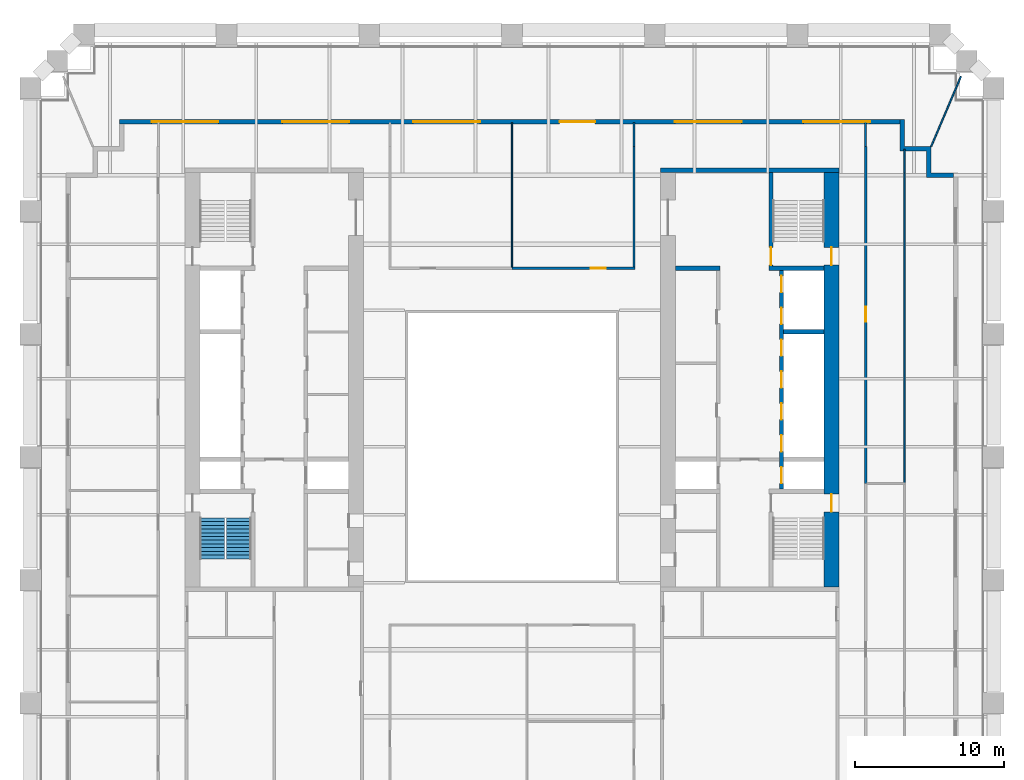
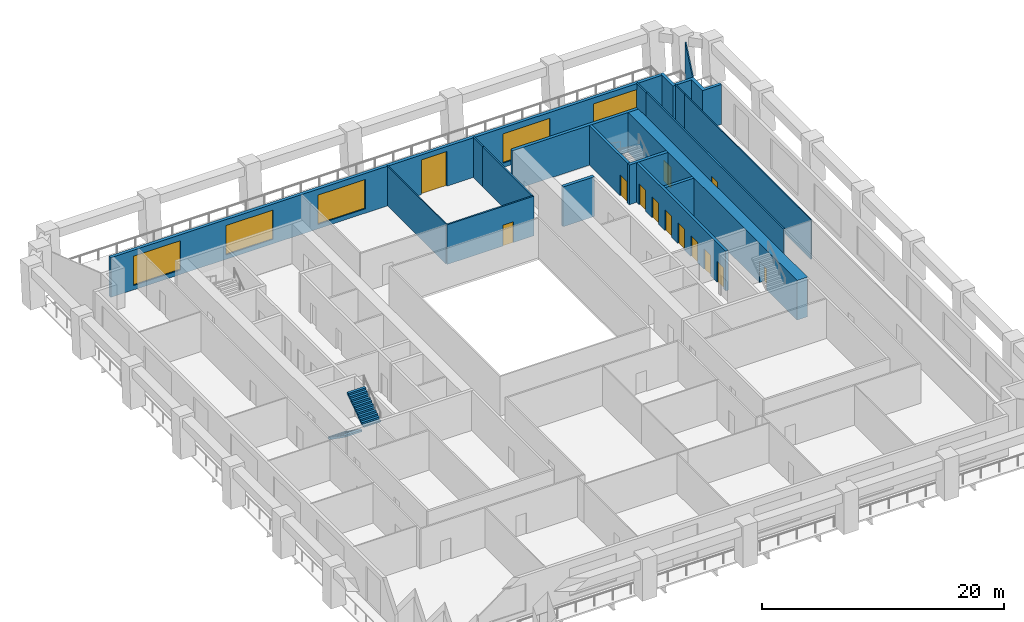
# One storey, part 7 of 9: 18 walls, 13 doors, 5 windows, 2 stair flights, 18 openings, 1 element without a shape of its own.
"""IFC4 building model written with IfcOpenShell, lengths in metres."""

from ifc_helpers import new_model, si_unit, direction, frame, frame_2d, origin, place, context, subcontext, project, spatial, polyline, rectangle, outline, extrude, material, layer, layer_set, type_object, element, fill, aggregate, save


model = new_model("IFC4")

# Units and contexts
model_context = context("Model", 3, precision=1e-05, world=origin(), true_north=direction((0.0, 1.0)))
body_context = subcontext(model_context, "Body", "Model", "MODEL_VIEW")
ifc_project = project(units=[si_unit("LENGTHUNIT", "METRE"), si_unit("AREAUNIT", "SQUARE_METRE"), si_unit("VOLUMEUNIT", "CUBIC_METRE"), si_unit("PLANEANGLEUNIT", "RADIAN"), si_unit("MASSUNIT", "GRAM", prefix="KILO")], contexts=[model_context])

# Site, building, storey
site_placement = place(None, origin())
site = spatial("IfcSite", under=ifc_project, at=site_placement, CompositionType="ELEMENT")
building_placement = place(site_placement, origin())
building = spatial("IfcBuilding", under=site, at=building_placement, Name="Ogive Exchange Tower", CompositionType="ELEMENT")
storey_placement = place(building_placement, frame((0.0, 0.0, 69.0)))
storey = spatial("IfcBuildingStorey", under=building, at=storey_placement, Name="L14", CompositionType="ELEMENT", Elevation=69.0)

# Wall
ifc_material_1 = material(Name="Gypsum board partition")
ifc_layer_1 = layer(ifc_material_1, 0.300048828125)
ifc_layer_set_1 = layer_set([ifc_layer_1], Name="Core room partition 300 gypsum")
wall_type_1 = type_object("IfcWallType", Name="Core room partition 300 gypsum", PredefinedType="PARTITIONING", material=ifc_layer_set_1)
wall_1_placement = place(storey_placement, frame((11.0, 19.0, 0.0), z_axis=(0.0, 0.0, 1.0), x_axis=(1.0, 0.0, 0.0)))
element("IfcWall", 1, at=wall_1_placement, inside=storey, type_object=wall_type_1, Name="E row B room end wall 7", PredefinedType="PARTITIONING", context=body_context, shape_type="SweptSolid", body=[
    extrude(rectangle(XDim=3.0, YDim=0.300048828125, at=frame_2d((1.5, 0.0))), origin(), (0.0, 0.0, 1.0), 4.0),
])

# Wall, opening, door
ifc_material_2 = material(Name="Fire partition EI 60 150")
ifc_layer_2 = layer(ifc_material_2, 0.14990234375)
ifc_layer_set_2 = layer_set([ifc_layer_2], Name="Fire partition EI 60 150")
wall_type_2 = type_object("IfcWallType", Name="Fire partition EI 60 150", PredefinedType="PARTITIONING", material=ifc_layer_set_2)
wall_2_placement = place(storey_placement, frame((0.0, 19.0, 0.0), z_axis=(0.0, 0.0, 1.0), x_axis=(1.0, 0.0, 0.0)))
wall_2 = element("IfcWall", 2, at=wall_2_placement, inside=storey, type_object=wall_type_2, Name="L14-PWL-027", PredefinedType="PARTITIONING", context=body_context, shape_type="SweptSolid", body=[
    extrude(rectangle(XDim=8.27490234375, YDim=0.14990234375, at=frame_2d((4.137451171875, 0.0))), origin(), (0.0, 0.0, 1.0), 4.0),
])
opening_1_placement = place(wall_2_placement, frame((5.300048828125, 0.0, 0.0)))
opening_1 = element("IfcOpeningElement", 3, at=opening_1_placement, cuts=wall_2, Name="Opening L14-I10", PredefinedType="OPENING", context=body_context, shape_type="SweptSolid", body=[
    extrude(rectangle(XDim=1.0, YDim=2.10009765625, at=frame_2d((0.5, 1.050048828125))), frame((0.0, 0.0849609375, 0.0), z_axis=(0.0, -1.0, 0.0), x_axis=(1.0, 0.0, 0.0)), (0.0, 0.0, 1.0), 0.169921875),
])
ifc_material_3 = material(Name="Fire door FD 30S 1000 x 2100")
door_type_1 = type_object("IfcDoorType", Name="Fire door FD 30S 1000 x 2100", OperationType="NOTDEFINED", PredefinedType="DOOR", material=ifc_material_3)
door_1_placement = place(opening_1_placement, origin())
door_1 = element("IfcDoor", 4, at=door_1_placement, inside=storey, type_object=door_type_1, Name="L14-IDR-010", ObjectType="DT3", OperationType="SINGLE_SWING_LEFT", OverallHeight=2.10009765625, OverallWidth=1.0, PredefinedType="DOOR", context=body_context, shape_type="SweptSolid", body=[
    extrude(rectangle(XDim=1.0, YDim=2.10009765625, at=frame_2d((0.5, 1.050048828125))), frame((0.0, 0.02490234375, 0.0), z_axis=(0.0, -1.0, 0.0), x_axis=(1.0, 0.0, 0.0)), (0.0, 0.0, 1.0), 0.050048828125),
])
fill(opening_1, door_1)

# Walls
wall_3_placement = place(storey_placement, frame((8.199951171875, 19.074951171875, 0.0), z_axis=(0.0, 0.0, 1.0), x_axis=(0.0, 1.0, 0.0)))
element("IfcWall", 5, at=wall_3_placement, inside=storey, type_object=wall_type_2, Name="L14-PWL-036", PredefinedType="PARTITIONING", context=body_context, shape_type="SweptSolid", body=[
    extrude(rectangle(XDim=8.125, YDim=0.14990234375, at=frame_2d((4.0625, 0.0))), origin(), (0.0, 0.0, 1.0), 4.0),
])
for number, where, z_axis, x_axis, name in (
    (6, (8.2099609375, 27.199951171875, 0.0), (0.0, 0.0, 1.0), (0.0, 1.0, 0.0), "L14-PWL-037"),
    (7, (23.7900390625, 28.800048828125, 0.0), (0.0, 0.0, 1.0), (0.0, -1.0, 0.0), "L14-PWL-043"),
):
    element("IfcWall", number, at=place(storey_placement, frame(where, z_axis=z_axis, x_axis=x_axis)), inside=storey, type_object=wall_type_2, Name=name, PredefinedType="PARTITIONING", context=body_context, shape_type="SweptSolid", body=[
        extrude(rectangle(XDim=1.60009765625, YDim=0.14990234375, at=frame_2d((0.800048828125, 0.0))), origin(), (0.0, 0.0, 1.0), 4.0),
    ])

# Wall, opening, door
wall_4_placement = place(storey_placement, frame((23.800048828125, 27.199951171875, 0.0), z_axis=(0.0, 0.0, 1.0), x_axis=(0.0, -1.0, 0.0)))
wall_4 = element("IfcWall", 8, at=wall_4_placement, inside=storey, type_object=wall_type_2, Name="L14-PWL-047", PredefinedType="PARTITIONING", context=body_context, shape_type="SweptSolid", body=[
    extrude(rectangle(XDim=22.699951171875, YDim=0.14990234375, at=frame_2d((11.35009765625, 0.0))), origin(), (0.0, 0.0, 1.0), 4.0),
])
opening_2_placement = place(wall_4_placement, frame((10.800048828125, 0.0, 0.0)))
opening_2 = element("IfcOpeningElement", 9, at=opening_2_placement, cuts=wall_4, Name="Opening L14-I04", PredefinedType="OPENING", context=body_context, shape_type="SweptSolid", body=[
    extrude(rectangle(XDim=1.0, YDim=2.10009765625, at=frame_2d((0.5, 1.050048828125))), frame((0.0, 0.0849609375, 0.0), z_axis=(0.0, -1.0, 0.0), x_axis=(1.0, 0.0, 0.0)), (0.0, 0.0, 1.0), 0.169921875),
])
door_2_placement = place(opening_2_placement, origin())
door_2 = element("IfcDoor", 10, at=door_2_placement, inside=storey, type_object=door_type_1, Name="L14-IDR-004", ObjectType="DT3", OperationType="SINGLE_SWING_LEFT", OverallHeight=2.10009765625, OverallWidth=1.0, PredefinedType="DOOR", context=body_context, shape_type="SweptSolid", body=[
    extrude(rectangle(XDim=1.0, YDim=2.10009765625, at=frame_2d((0.5, 1.050048828125))), frame((0.0, 0.02490234375, 0.0), z_axis=(0.0, -1.0, 0.0), x_axis=(1.0, 0.0, 0.0)), (0.0, 0.0, 1.0), 0.050048828125),
])
fill(opening_2, door_2)

# Wall, openings, door, windows
ifc_material_4 = material(Name="Precast concrete C40/50", Category="concrete")
ifc_layer_3 = layer(ifc_material_4, 0.300048828125)
ifc_layer_set_3 = layer_set([ifc_layer_3], Name="Limestone-faced wall 300")
wall_type_3 = type_object("IfcWallType", Name="Limestone-faced wall 300", PredefinedType="STANDARD", material=ifc_layer_set_3)
wall_5_placement = place(storey_placement, frame((26.10009765625, 28.85009765625, 0.0), z_axis=(0.0, 0.0, 1.0), x_axis=(-1.0, 0.0, 0.0)))
wall_5 = element("IfcWall", 11, at=wall_5_placement, inside=storey, type_object=wall_type_3, Name="External wall N3", PredefinedType="STANDARD", context=body_context, shape_type="SweptSolid", body=[
    extrude(rectangle(XDim=52.5, YDim=0.300048828125, at=frame_2d((26.25, 0.0))), origin(), (0.0, 0.0, 1.0), 4.0),
])
opening_3_placement = place(wall_5_placement, frame((2.0, 0.0, 0.449951171875)))
opening_3 = element("IfcOpeningElement", 12, at=opening_3_placement, cuts=wall_5, Name="Opening W1B", PredefinedType="OPENING", context=body_context, shape_type="SweptSolid", body=[
    extrude(rectangle(XDim=4.5, YDim=2.949951171875, at=frame_2d((2.25, 1.47509765625))), frame((0.0, 0.159912109375, 0.0), z_axis=(0.0, -1.0, 0.0), x_axis=(1.0, 0.0, 0.0)), (0.0, 0.0, 1.0), 0.320068359375),
])
opening_4_placement = place(wall_5_placement, frame((10.64990234375, 0.0, 0.449951171875)))
opening_4 = element("IfcOpeningElement", 13, at=opening_4_placement, cuts=wall_5, Name="Opening W1B", PredefinedType="OPENING", context=body_context, shape_type="SweptSolid", body=[
    extrude(rectangle(XDim=4.5, YDim=2.949951171875, at=frame_2d((2.25, 1.47509765625))), frame((0.0, 0.159912109375, 0.0), z_axis=(0.0, -1.0, 0.0), x_axis=(1.0, 0.0, 0.0)), (0.0, 0.0, 1.0), 0.320068359375),
])
opening_5_placement = place(wall_5_placement, frame((20.5, 0.0, 0.0)))
opening_5 = element("IfcOpeningElement", 14, at=opening_5_placement, cuts=wall_5, Name="Opening D1", PredefinedType="OPENING", context=body_context, shape_type="SweptSolid", body=[
    extrude(rectangle(XDim=2.39990234375, YDim=3.5, at=frame_2d((1.199951171875, 1.75))), frame((0.0, 0.159912109375, 0.0), z_axis=(0.0, -1.0, 0.0), x_axis=(1.0, 0.0, 0.0)), (0.0, 0.0, 1.0), 0.320068359375),
])
opening_6_placement = place(wall_5_placement, frame((28.25, 0.0, 0.449951171875)))
opening_6 = element("IfcOpeningElement", 15, at=opening_6_placement, cuts=wall_5, Name="Opening W1B", PredefinedType="OPENING", context=body_context, shape_type="SweptSolid", body=[
    extrude(rectangle(XDim=4.5, YDim=2.949951171875, at=frame_2d((2.25, 1.47509765625))), frame((0.0, 0.159912109375, 0.0), z_axis=(0.0, -1.0, 0.0), x_axis=(1.0, 0.0, 0.0)), (0.0, 0.0, 1.0), 0.320068359375),
])
opening_7_placement = place(wall_5_placement, frame((37.050048828125, 0.0, 0.449951171875)))
opening_7 = element("IfcOpeningElement", 16, at=opening_7_placement, cuts=wall_5, Name="Opening W1B", PredefinedType="OPENING", context=body_context, shape_type="SweptSolid", body=[
    extrude(rectangle(XDim=4.5, YDim=2.949951171875, at=frame_2d((2.25, 1.47509765625))), frame((0.0, 0.159912109375, 0.0), z_axis=(0.0, -1.0, 0.0), x_axis=(1.0, 0.0, 0.0)), (0.0, 0.0, 1.0), 0.320068359375),
])
opening_8_placement = place(wall_5_placement, frame((45.85009765625, 0.0, 0.449951171875)))
opening_8 = element("IfcOpeningElement", 17, at=opening_8_placement, cuts=wall_5, Name="Opening W1B", PredefinedType="OPENING", context=body_context, shape_type="SweptSolid", body=[
    extrude(rectangle(XDim=4.5, YDim=2.949951171875, at=frame_2d((2.25, 1.47509765625))), frame((0.0, 0.159912109375, 0.0), z_axis=(0.0, -1.0, 0.0), x_axis=(1.0, 0.0, 0.0)), (0.0, 0.0, 1.0), 0.320068359375),
])
ifc_material_5 = material(Name="Clear glass in bronze frame", Category="glass")
door_type_2 = type_object("IfcDoorType", Name="Sliding loggia door 2400 x 3500", OperationType="DOUBLE_DOOR_SLIDING", PredefinedType="DOOR", material=ifc_material_5)
door_3_placement = place(opening_5_placement, origin())
door_3 = element("IfcDoor", 18, at=door_3_placement, inside=storey, type_object=door_type_2, Name="Loggia door N02", OperationType="DOUBLE_DOOR_SLIDING", OverallHeight=3.5, OverallWidth=2.39990234375, PredefinedType="DOOR", context=body_context, shape_type="SweptSolid", body=[
    extrude(rectangle(XDim=2.39990234375, YDim=3.5, at=frame_2d((1.199951171875, 1.75))), frame((0.0, 0.02490234375, 0.0), z_axis=(0.0, -1.0, 0.0), x_axis=(1.0, 0.0, 0.0)), (0.0, 0.0, 1.0), 0.050048828125),
])
fill(opening_5, door_3)
window_type = type_object("IfcWindowType", Name="Twin lancet window 4500 x 2950", PartitioningType="DOUBLE_PANEL_VERTICAL", PredefinedType="WINDOW", material=ifc_material_5)
window_1_placement = place(opening_3_placement, origin())
window_1 = element("IfcWindow", 19, at=window_1_placement, inside=storey, type_object=window_type, Name="Window N00", OverallHeight=2.949951171875, OverallWidth=4.5, PartitioningType="DOUBLE_PANEL_VERTICAL", PredefinedType="WINDOW", context=body_context, shape_type="SweptSolid", body=[
    extrude(rectangle(XDim=4.5, YDim=2.949951171875, at=frame_2d((2.25, 1.47509765625))), frame((0.0, 0.030029296875, 0.0), z_axis=(0.0, -1.0, 0.0), x_axis=(1.0, 0.0, 0.0)), (0.0, 0.0, 1.0), 0.06005859375),
])
fill(opening_3, window_1)
window_2_placement = place(opening_4_placement, origin())
window_2 = element("IfcWindow", 20, at=window_2_placement, inside=storey, type_object=window_type, Name="Window N01", OverallHeight=2.949951171875, OverallWidth=4.5, PartitioningType="DOUBLE_PANEL_VERTICAL", PredefinedType="WINDOW", context=body_context, shape_type="SweptSolid", body=[
    extrude(rectangle(XDim=4.5, YDim=2.949951171875, at=frame_2d((2.25, 1.47509765625))), frame((0.0, 0.030029296875, 0.0), z_axis=(0.0, -1.0, 0.0), x_axis=(1.0, 0.0, 0.0)), (0.0, 0.0, 1.0), 0.06005859375),
])
fill(opening_4, window_2)
window_3_placement = place(opening_6_placement, origin())
window_3 = element("IfcWindow", 21, at=window_3_placement, inside=storey, type_object=window_type, Name="Window N03", OverallHeight=2.949951171875, OverallWidth=4.5, PartitioningType="DOUBLE_PANEL_VERTICAL", PredefinedType="WINDOW", context=body_context, shape_type="SweptSolid", body=[
    extrude(rectangle(XDim=4.5, YDim=2.949951171875, at=frame_2d((2.25, 1.47509765625))), frame((0.0, 0.030029296875, 0.0), z_axis=(0.0, -1.0, 0.0), x_axis=(1.0, 0.0, 0.0)), (0.0, 0.0, 1.0), 0.06005859375),
])
fill(opening_6, window_3)
window_4_placement = place(opening_7_placement, origin())
window_4 = element("IfcWindow", 22, at=window_4_placement, inside=storey, type_object=window_type, Name="Window N04", OverallHeight=2.949951171875, OverallWidth=4.5, PartitioningType="DOUBLE_PANEL_VERTICAL", PredefinedType="WINDOW", context=body_context, shape_type="SweptSolid", body=[
    extrude(rectangle(XDim=4.5, YDim=2.949951171875, at=frame_2d((2.25, 1.47509765625))), frame((0.0, 0.030029296875, 0.0), z_axis=(0.0, -1.0, 0.0), x_axis=(1.0, 0.0, 0.0)), (0.0, 0.0, 1.0), 0.06005859375),
])
fill(opening_7, window_4)
window_5_placement = place(opening_8_placement, origin())
window_5 = element("IfcWindow", 23, at=window_5_placement, inside=storey, type_object=window_type, Name="Window N05", OverallHeight=2.949951171875, OverallWidth=4.5, PartitioningType="DOUBLE_PANEL_VERTICAL", PredefinedType="WINDOW", context=body_context, shape_type="SweptSolid", body=[
    extrude(rectangle(XDim=4.5, YDim=2.949951171875, at=frame_2d((2.25, 1.47509765625))), frame((0.0, 0.030029296875, 0.0), z_axis=(0.0, -1.0, 0.0), x_axis=(1.0, 0.0, 0.0)), (0.0, 0.0, 1.0), 0.06005859375),
])
fill(opening_8, window_5)

# Walls
wall_6_placement = place(storey_placement, origin())
element("IfcWall", 24, at=wall_6_placement, inside=storey, type_object=wall_type_3, Name="External corner wall C2", PredefinedType="STANDARD", context=body_context, shape_type="SweptSolid", body=[
    extrude(outline(polyline([(27.89990234375, 26.89990234375), (26.10009765625, 26.89990234375), (26.10009765625, 29.0), (26.39990234375, 29.0), (26.39990234375, 27.199951171875), (28.199951171875, 27.199951171875), (28.199951171875, 25.39990234375), (29.699951171875, 25.39990234375), (29.699951171875, 25.10009765625), (27.89990234375, 25.10009765625), (27.89990234375, 26.89990234375)])), origin(), (0.0, 0.0, 1.0), 4.0),
])
ifc_material_6 = material(Name="Laminated safety glass in steel frame", Category="steel")
ifc_layer_4 = layer(ifc_material_6, 0.10009765625)
ifc_layer_set_4 = layer_set([ifc_layer_4], Name="Loggia end screen 100")
wall_type_4 = type_object("IfcWallType", Name="Loggia end screen 100", PredefinedType="STANDARD", material=ifc_layer_set_4)
wall_7_placement = place(storey_placement, frame((28.199951171875, 27.199951171875, -0.050048828125), z_axis=(0.0, 0.0, 1.0), x_axis=(0.392826940341, 0.919612415609, 0.0)))
element("IfcWall", 25, at=wall_7_placement, inside=storey, type_object=wall_type_4, Name="Loggia end screen C2", PredefinedType="STANDARD", context=body_context, shape_type="SweptSolid", body=[
    extrude(rectangle(XDim=5.099365234375, YDim=0.10009765625, at=frame_2d((2.5498046875, 0.0))), origin(), (0.0, 0.0, 1.0), 4.050048828125),
])
ifc_material_7 = material(Name="Partition 100 gypsum")
ifc_layer_5 = layer(ifc_material_7, 0.10009765625)
ifc_layer_set_5 = layer_set([ifc_layer_5], Name="Partition 100 gypsum")
wall_type_5 = type_object("IfcWallType", Name="Partition 100 gypsum", PredefinedType="PARTITIONING", material=ifc_layer_set_5)
wall_8_placement = place(storey_placement, frame((0.0, 19.074951171875, 0.0), z_axis=(0.0, 0.0, 1.0), x_axis=(0.0, 1.0, 0.0)))
element("IfcWall", 26, at=wall_8_placement, inside=storey, type_object=wall_type_5, Name="L14-PWL-026", PredefinedType="PARTITIONING", context=body_context, shape_type="SweptSolid", body=[
    extrude(rectangle(XDim=9.72509765625, YDim=0.10009765625, at=frame_2d((4.862548828125, 0.0))), origin(), (0.0, 0.0, 1.0), 4.0),
])
wall_9_placement = place(storey_placement, frame((26.39990234375, 4.550048828125, 0.0), z_axis=(0.0, 0.0, 1.0), x_axis=(0.0, 1.0, 0.0)))
element("IfcWall", 27, at=wall_9_placement, inside=storey, type_object=wall_type_5, Name="L14-PWL-049", PredefinedType="PARTITIONING", context=body_context, shape_type="SweptSolid", body=[
    extrude(rectangle(XDim=20.85986328125, YDim=0.10009765625, at=frame_2d((10.429931640625, 0.0))), origin(), (0.0, 0.0, 1.0), 4.0),
])
wall_10_placement = place(storey_placement, frame((26.409912109375, 25.409912109375, 0.0), z_axis=(0.0, 0.0, 1.0), x_axis=(0.0, 1.0, 0.0)))
element("IfcWall", 28, at=wall_10_placement, inside=storey, type_object=wall_type_5, Name="L14-PWL-051", PredefinedType="PARTITIONING", context=body_context, shape_type="SweptSolid", body=[
    extrude(rectangle(XDim=1.590087890625, YDim=0.10009765625, at=frame_2d((0.794921875, 0.0))), origin(), (0.0, 0.0, 1.0), 4.0),
])

# Wall, openings, doors
ifc_material_8 = material(Name="Concrete C70/85", Category="concrete")
ifc_layer_6 = layer(ifc_material_8, 1.0)
ifc_layer_set_6 = layer_set([ifc_layer_6], Name="RC core wall 1000 C70/85")
wall_type_6 = type_object("IfcWallType", Name="RC core wall 1000 C70/85", PredefinedType="SHEAR", material=ifc_layer_set_6)
wall_11_placement = place(storey_placement, frame((21.5, -2.449951171875, 0.0), z_axis=(0.0, 0.0, 1.0), x_axis=(0.0, 1.0, 0.0)))
wall_11 = element("IfcWall", 29, at=wall_11_placement, inside=storey, type_object=wall_type_6, Name="E outer wall", PredefinedType="SHEAR", context=body_context, shape_type="SweptSolid", body=[
    extrude(rectangle(XDim=27.89990234375, YDim=1.0, at=frame_2d((13.949951171875, 0.0))), origin(), (0.0, 0.0, 1.0), 4.0),
])
opening_9_placement = place(wall_11_placement, frame((5.050048828125, 0.0, 0.0)))
opening_9 = element("IfcOpeningElement", 30, at=opening_9_placement, cuts=wall_11, Name="Opening L14-C37", PredefinedType="OPENING", context=body_context, shape_type="SweptSolid", body=[
    extrude(rectangle(XDim=1.199951171875, YDim=2.10009765625, at=frame_2d((0.60009765625, 1.050048828125))), frame((0.0, 0.510009765625, 0.0), z_axis=(0.0, -1.0, 0.0), x_axis=(1.0, 0.0, 0.0)), (0.0, 0.0, 1.0), 1.02001953125),
])
opening_10_placement = place(wall_11_placement, frame((21.64990234375, 0.0, 0.0)))
opening_10 = element("IfcOpeningElement", 31, at=opening_10_placement, cuts=wall_11, Name="Opening L14-C39", PredefinedType="OPENING", context=body_context, shape_type="SweptSolid", body=[
    extrude(rectangle(XDim=1.199951171875, YDim=2.10009765625, at=frame_2d((0.60009765625, 1.050048828125))), frame((0.0, 0.510009765625, 0.0), z_axis=(0.0, -1.0, 0.0), x_axis=(1.0, 0.0, 0.0)), (0.0, 0.0, 1.0), 1.02001953125),
])
ifc_material_9 = material(Name="Steel fire door", Category="steel")
door_type_3 = type_object("IfcDoorType", Name="Stair door FD90 1200 x 2100", OperationType="NOTDEFINED", PredefinedType="DOOR", material=ifc_material_9)
door_4_placement = place(opening_9_placement, origin())
door_4 = element("IfcDoor", 32, at=door_4_placement, inside=storey, type_object=door_type_3, Name="Stair door", ObjectType="CD5", OperationType="SINGLE_SWING_LEFT", OverallHeight=2.10009765625, OverallWidth=1.199951171875, PredefinedType="DOOR", context=body_context, shape_type="SweptSolid", body=[
    extrude(rectangle(XDim=1.199951171875, YDim=2.10009765625, at=frame_2d((0.60009765625, 1.050048828125))), frame((0.0, 0.02490234375, 0.0), z_axis=(0.0, -1.0, 0.0), x_axis=(1.0, 0.0, 0.0)), (0.0, 0.0, 1.0), 0.050048828125),
])
fill(opening_9, door_4)
door_5_placement = place(opening_10_placement, origin())
door_5 = element("IfcDoor", 33, at=door_5_placement, inside=storey, type_object=door_type_3, Name="Stair door", ObjectType="CD5", OperationType="SINGLE_SWING_RIGHT", OverallHeight=2.10009765625, OverallWidth=1.199951171875, PredefinedType="DOOR", context=body_context, shape_type="SweptSolid", body=[
    extrude(rectangle(XDim=1.199951171875, YDim=2.10009765625, at=frame_2d((0.60009765625, 1.050048828125))), frame((0.0, 0.02490234375, 0.0), z_axis=(0.0, -1.0, 0.0), x_axis=(1.0, 0.0, 0.0)), (0.0, 0.0, 1.0), 0.050048828125),
])
fill(opening_10, door_5)

# Wall, opening, door
ifc_layer_7 = layer(ifc_material_8, 0.25)
ifc_layer_set_7 = layer_set([ifc_layer_7], Name="RC core wall 250 C70/85")
wall_type_7 = type_object("IfcWallType", Name="RC core wall 250 C70/85", PredefinedType="SHEAR", material=ifc_layer_set_7)
wall_12_placement = place(storey_placement, frame((17.425048828125, 19.14990234375, 0.0), z_axis=(0.0, 0.0, 1.0), x_axis=(0.0, 1.0, 0.0)))
wall_12 = element("IfcWall", 34, at=wall_12_placement, inside=storey, type_object=wall_type_7, Name="E stair N front wall", PredefinedType="SHEAR", context=body_context, shape_type="SweptSolid", body=[
    extrude(rectangle(XDim=6.300048828125, YDim=0.25, at=frame_2d((3.14990234375, 0.0))), origin(), (0.0, 0.0, 1.0), 4.0),
])
opening_11_placement = place(wall_12_placement, frame((0.050048828125, 0.0, 0.0)))
opening_11 = element("IfcOpeningElement", 35, at=opening_11_placement, cuts=wall_12, Name="Opening L14-C38", PredefinedType="OPENING", context=body_context, shape_type="SweptSolid", body=[
    extrude(rectangle(XDim=1.199951171875, YDim=2.10009765625, at=frame_2d((0.60009765625, 1.050048828125))), frame((0.0, 0.135009765625, 0.0), z_axis=(0.0, -1.0, 0.0), x_axis=(1.0, 0.0, 0.0)), (0.0, 0.0, 1.0), 0.27001953125),
])
door_6_placement = place(opening_11_placement, frame((1.199951171875, 0.0, 0.0), z_axis=(0.0, 0.0, 1.0), x_axis=(-1.0, 0.0, 0.0)))
door_6 = element("IfcDoor", 36, at=door_6_placement, inside=storey, type_object=door_type_3, Name="Stair door", ObjectType="CD5", OperationType="SINGLE_SWING_LEFT", OverallHeight=2.10009765625, OverallWidth=1.199951171875, PredefinedType="DOOR", context=body_context, shape_type="SweptSolid", body=[
    extrude(rectangle(XDim=1.199951171875, YDim=2.10009765625, at=frame_2d((0.60009765625, 1.050048828125))), frame((0.0, 0.02490234375, 0.0), z_axis=(0.0, -1.0, 0.0), x_axis=(1.0, 0.0, 0.0)), (0.0, 0.0, 1.0), 0.050048828125),
])
fill(opening_11, door_6)

# Wall, openings, doors
wall_13_placement = place(storey_placement, frame((18.125, 4.14990234375, 0.0), z_axis=(0.0, 0.0, 1.0), x_axis=(0.0, 1.0, 0.0)))
wall_13 = element("IfcWall", 37, at=wall_13_placement, inside=storey, type_object=wall_type_7, Name="E row A front wall", PredefinedType="SHEAR", context=body_context, shape_type="SweptSolid", body=[
    extrude(rectangle(XDim=14.7001953125, YDim=0.25, at=frame_2d((7.35009765625, 0.0))), origin(), (0.0, 0.0, 1.0), 4.0),
])
opening_12_placement = place(wall_13_placement, frame((0.371337890625, 0.0, 0.0)))
opening_12 = element("IfcOpeningElement", 38, at=opening_12_placement, cuts=wall_13, Name="Opening L14-C24", PredefinedType="OPENING", context=body_context, shape_type="SweptSolid", body=[
    extrude(rectangle(XDim=1.10009765625, YDim=2.10009765625, at=frame_2d((0.550048828125, 1.050048828125))), frame((0.0, 0.135009765625, 0.0), z_axis=(0.0, -1.0, 0.0), x_axis=(1.0, 0.0, 0.0)), (0.0, 0.0, 1.0), 0.27001953125),
])
opening_13_placement = place(wall_13_placement, frame((2.514404296875, 0.0, 0.0)))
opening_13 = element("IfcOpeningElement", 39, at=opening_13_placement, cuts=wall_13, Name="Opening L14-C25", PredefinedType="OPENING", context=body_context, shape_type="SweptSolid", body=[
    extrude(rectangle(XDim=1.10009765625, YDim=2.10009765625, at=frame_2d((0.550048828125, 1.050048828125))), frame((0.0, 0.135009765625, 0.0), z_axis=(0.0, -1.0, 0.0), x_axis=(1.0, 0.0, 0.0)), (0.0, 0.0, 1.0), 0.27001953125),
])
opening_14_placement = place(wall_13_placement, frame((4.656982421875, 0.0, 0.0)))
opening_14 = element("IfcOpeningElement", 40, at=opening_14_placement, cuts=wall_13, Name="Opening L14-C26", PredefinedType="OPENING", context=body_context, shape_type="SweptSolid", body=[
    extrude(rectangle(XDim=1.10009765625, YDim=2.10009765625, at=frame_2d((0.550048828125, 1.050048828125))), frame((0.0, 0.135009765625, 0.0), z_axis=(0.0, -1.0, 0.0), x_axis=(1.0, 0.0, 0.0)), (0.0, 0.0, 1.0), 0.27001953125),
])
opening_15_placement = place(wall_13_placement, frame((6.800048828125, 0.0, 0.0)))
opening_15 = element("IfcOpeningElement", 41, at=opening_15_placement, cuts=wall_13, Name="Opening L14-C27", PredefinedType="OPENING", context=body_context, shape_type="SweptSolid", body=[
    extrude(rectangle(XDim=1.10009765625, YDim=2.10009765625, at=frame_2d((0.550048828125, 1.050048828125))), frame((0.0, 0.135009765625, 0.0), z_axis=(0.0, -1.0, 0.0), x_axis=(1.0, 0.0, 0.0)), (0.0, 0.0, 1.0), 0.27001953125),
])
opening_16_placement = place(wall_13_placement, frame((8.94287109375, 0.0, 0.0)))
opening_16 = element("IfcOpeningElement", 42, at=opening_16_placement, cuts=wall_13, Name="Opening L14-C28", PredefinedType="OPENING", context=body_context, shape_type="SweptSolid", body=[
    extrude(rectangle(XDim=1.10009765625, YDim=2.10009765625, at=frame_2d((0.550048828125, 1.050048828125))), frame((0.0, 0.135009765625, 0.0), z_axis=(0.0, -1.0, 0.0), x_axis=(1.0, 0.0, 0.0)), (0.0, 0.0, 1.0), 0.27001953125),
])
opening_17_placement = place(wall_13_placement, frame((11.085693359375, 0.0, 0.0)))
opening_17 = element("IfcOpeningElement", 43, at=opening_17_placement, cuts=wall_13, Name="Opening L14-C29", PredefinedType="OPENING", context=body_context, shape_type="SweptSolid", body=[
    extrude(rectangle(XDim=1.10009765625, YDim=2.10009765625, at=frame_2d((0.550048828125, 1.050048828125))), frame((0.0, 0.135009765625, 0.0), z_axis=(0.0, -1.0, 0.0), x_axis=(1.0, 0.0, 0.0)), (0.0, 0.0, 1.0), 0.27001953125),
])
opening_18_placement = place(wall_13_placement, frame((13.228515625, 0.0, 0.0)))
opening_18 = element("IfcOpeningElement", 44, at=opening_18_placement, cuts=wall_13, Name="Opening L14-C30", PredefinedType="OPENING", context=body_context, shape_type="SweptSolid", body=[
    extrude(rectangle(XDim=1.10009765625, YDim=2.10009765625, at=frame_2d((0.550048828125, 1.050048828125))), frame((0.0, 0.135009765625, 0.0), z_axis=(0.0, -1.0, 0.0), x_axis=(1.0, 0.0, 0.0)), (0.0, 0.0, 1.0), 0.27001953125),
])
ifc_material_10 = material(Name="Stainless steel", Category="steel")
door_type_4 = type_object("IfcDoorType", Name="Lift landing door FD90 1100 x 2100", OperationType="SLIDING_TO_LEFT", PredefinedType="DOOR", material=ifc_material_10)
door_7_placement = place(opening_12_placement, origin())
door_7 = element("IfcDoor", 45, at=door_7_placement, inside=storey, type_object=door_type_4, Name="Lift landing door FF2", ObjectType="LD", OperationType="SLIDING_TO_LEFT", OverallHeight=2.10009765625, OverallWidth=1.10009765625, PredefinedType="DOOR", context=body_context, shape_type="SweptSolid", body=[
    extrude(rectangle(XDim=1.10009765625, YDim=2.10009765625, at=frame_2d((0.550048828125, 1.050048828125))), frame((0.0, 0.02490234375, 0.0), z_axis=(0.0, -1.0, 0.0), x_axis=(1.0, 0.0, 0.0)), (0.0, 0.0, 1.0), 0.050048828125),
])
fill(opening_12, door_7)
door_8_placement = place(opening_13_placement, origin())
door_8 = element("IfcDoor", 46, at=door_8_placement, inside=storey, type_object=door_type_4, Name="Lift landing door E-L1", ObjectType="LD", OperationType="SLIDING_TO_LEFT", OverallHeight=2.10009765625, OverallWidth=1.10009765625, PredefinedType="DOOR", context=body_context, shape_type="SweptSolid", body=[
    extrude(rectangle(XDim=1.10009765625, YDim=2.10009765625, at=frame_2d((0.550048828125, 1.050048828125))), frame((0.0, 0.02490234375, 0.0), z_axis=(0.0, -1.0, 0.0), x_axis=(1.0, 0.0, 0.0)), (0.0, 0.0, 1.0), 0.050048828125),
])
fill(opening_13, door_8)
door_9_placement = place(opening_14_placement, origin())
door_9 = element("IfcDoor", 47, at=door_9_placement, inside=storey, type_object=door_type_4, Name="Lift landing door E-L2", ObjectType="LD", OperationType="SLIDING_TO_LEFT", OverallHeight=2.10009765625, OverallWidth=1.10009765625, PredefinedType="DOOR", context=body_context, shape_type="SweptSolid", body=[
    extrude(rectangle(XDim=1.10009765625, YDim=2.10009765625, at=frame_2d((0.550048828125, 1.050048828125))), frame((0.0, 0.02490234375, 0.0), z_axis=(0.0, -1.0, 0.0), x_axis=(1.0, 0.0, 0.0)), (0.0, 0.0, 1.0), 0.050048828125),
])
fill(opening_14, door_9)
door_10_placement = place(opening_15_placement, origin())
door_10 = element("IfcDoor", 48, at=door_10_placement, inside=storey, type_object=door_type_4, Name="Lift landing door E-L3", ObjectType="LD", OperationType="SLIDING_TO_LEFT", OverallHeight=2.10009765625, OverallWidth=1.10009765625, PredefinedType="DOOR", context=body_context, shape_type="SweptSolid", body=[
    extrude(rectangle(XDim=1.10009765625, YDim=2.10009765625, at=frame_2d((0.550048828125, 1.050048828125))), frame((0.0, 0.02490234375, 0.0), z_axis=(0.0, -1.0, 0.0), x_axis=(1.0, 0.0, 0.0)), (0.0, 0.0, 1.0), 0.050048828125),
])
fill(opening_15, door_10)
door_11_placement = place(opening_16_placement, origin())
door_11 = element("IfcDoor", 49, at=door_11_placement, inside=storey, type_object=door_type_4, Name="Lift landing door E-L4", ObjectType="LD", OperationType="SLIDING_TO_LEFT", OverallHeight=2.10009765625, OverallWidth=1.10009765625, PredefinedType="DOOR", context=body_context, shape_type="SweptSolid", body=[
    extrude(rectangle(XDim=1.10009765625, YDim=2.10009765625, at=frame_2d((0.550048828125, 1.050048828125))), frame((0.0, 0.02490234375, 0.0), z_axis=(0.0, -1.0, 0.0), x_axis=(1.0, 0.0, 0.0)), (0.0, 0.0, 1.0), 0.050048828125),
])
fill(opening_16, door_11)
door_12_placement = place(opening_17_placement, origin())
door_12 = element("IfcDoor", 50, at=door_12_placement, inside=storey, type_object=door_type_4, Name="Lift landing door E-SH1", ObjectType="LD", OperationType="SLIDING_TO_LEFT", OverallHeight=2.10009765625, OverallWidth=1.10009765625, PredefinedType="DOOR", context=body_context, shape_type="SweptSolid", body=[
    extrude(rectangle(XDim=1.10009765625, YDim=2.10009765625, at=frame_2d((0.550048828125, 1.050048828125))), frame((0.0, 0.02490234375, 0.0), z_axis=(0.0, -1.0, 0.0), x_axis=(1.0, 0.0, 0.0)), (0.0, 0.0, 1.0), 0.050048828125),
])
fill(opening_17, door_12)
door_13_placement = place(opening_18_placement, origin())
door_13 = element("IfcDoor", 51, at=door_13_placement, inside=storey, type_object=door_type_4, Name="Lift landing door E-SH2", ObjectType="LD", OperationType="SLIDING_TO_LEFT", OverallHeight=2.10009765625, OverallWidth=1.10009765625, PredefinedType="DOOR", context=body_context, shape_type="SweptSolid", body=[
    extrude(rectangle(XDim=1.10009765625, YDim=2.10009765625, at=frame_2d((0.550048828125, 1.050048828125))), frame((0.0, 0.02490234375, 0.0), z_axis=(0.0, -1.0, 0.0), x_axis=(1.0, 0.0, 0.0)), (0.0, 0.0, 1.0), 0.050048828125),
])
fill(opening_18, door_13)

# Walls
ifc_layer_8 = layer(ifc_material_8, 0.300048828125)
ifc_layer_set_8 = layer_set([ifc_layer_8], Name="RC core wall 300 C70/85")
wall_type_8 = type_object("IfcWallType", Name="RC core wall 300 C70/85", PredefinedType="SHEAR", material=ifc_layer_set_8)
wall_14_placement = place(storey_placement, frame((10.0, 25.60009765625, 0.0), z_axis=(0.0, 0.0, 1.0), x_axis=(1.0, 0.0, 0.0)))
element("IfcWall", 52, at=wall_14_placement, inside=storey, type_object=wall_type_8, Name="E north end wall", PredefinedType="SHEAR", context=body_context, shape_type="SweptSolid", body=[
    extrude(rectangle(XDim=12.0, YDim=0.300048828125, at=frame_2d((6.0, 0.0))), origin(), (0.0, 0.0, 1.0), 4.0),
])
wall_15_placement = place(storey_placement, frame((17.300048828125, 19.0, 0.0), z_axis=(0.0, 0.0, 1.0), x_axis=(1.0, 0.0, 0.0)))
element("IfcWall", 53, at=wall_15_placement, inside=storey, type_object=wall_type_8, Name="E stair N south wall", PredefinedType="SHEAR", context=body_context, shape_type="SweptSolid", body=[
    extrude(rectangle(XDim=3.699951171875, YDim=0.300048828125, at=frame_2d((1.85009765625, 0.0))), origin(), (0.0, 0.0, 1.0), 4.0),
])
wall_16_placement = place(storey_placement, frame((18.25, 14.71435546875, 0.0), z_axis=(0.0, 0.0, 1.0), x_axis=(1.0, 0.0, 0.0)))
element("IfcWall", 54, at=wall_16_placement, inside=storey, type_object=wall_type_8, Name="E row A divider 5", PredefinedType="SHEAR", context=body_context, shape_type="SweptSolid", body=[
    extrude(rectangle(XDim=2.75, YDim=0.300048828125, at=frame_2d((1.375, 0.0))), origin(), (0.0, 0.0, 1.0), 4.0),
])

# Stair, stair flights
ifc_material_11 = material(Name="Concrete C40/50", Category="concrete")
stair_type = type_object("IfcStairType", Name="Exit stair 1650 wide", PredefinedType="HALF_TURN_STAIR", material=ifc_material_11)
stair_placement = place(storey_placement, origin())
stair = element("IfcStair", 55, at=stair_placement, inside=storey, type_object=stair_type, Name="L14 exit stair ST1", PredefinedType="HALF_TURN_STAIR")
stair_flight_type = type_object("IfcStairFlightType", Name="Stair flight 1650 wide", PredefinedType="STRAIGHT", material=ifc_material_11)
stair_flight_1_placement = place(storey_placement, frame((-20.175048828125, 2.199951171875, 0.0), z_axis=(0.0, 0.0, 1.0), x_axis=(0.0, -1.0, 0.0)))
stair_flight_1 = element("IfcStairFlight", 56, at=stair_flight_1_placement, type_object=stair_flight_type, Name="ST1 flight 1", NumberOfRisers=12, NumberOfTreads=11, PredefinedType="STRAIGHT", RiserHeight=0.175, TreadLength=0.25, context=body_context, shape_type="SweptSolid", body=[
    extrude(outline(polyline([(0.0, 0.0), (0.0, 0.175048828125), (0.25, 0.175048828125), (0.25, 0.35009765625), (0.5, 0.35009765625), (0.5, 0.52490234375), (0.75, 0.52490234375), (0.75, 0.699951171875), (1.0, 0.699951171875), (1.0, 0.875), (1.25, 0.875), (1.25, 1.050048828125), (1.5, 1.050048828125), (1.5, 1.22509765625), (1.75, 1.22509765625), (1.75, 1.39990234375), (2.0, 1.39990234375), (2.0, 1.574951171875), (2.25, 1.574951171875), (2.25, 1.75), (2.5, 1.75), (2.5, 1.925048828125), (2.75, 1.925048828125), (2.75, 2.10009765625), (2.75, 1.741943359375), (0.261474609375, 0.0), (0.0, 0.0)])), frame((0.0, 0.824951171875, 0.0), z_axis=(0.0, -1.0, 0.0), x_axis=(1.0, 0.0, 0.0)), (0.0, 0.0, 1.0), 1.64990234375),
])
stair_flight_2_placement = place(storey_placement, frame((-18.375, -0.550048828125, 2.10009765625), z_axis=(0.0, 0.0, 1.0), x_axis=(0.0, 1.0, 0.0)))
stair_flight_2 = element("IfcStairFlight", 57, at=stair_flight_2_placement, type_object=stair_flight_type, Name="ST1 flight 2", NumberOfRisers=12, NumberOfTreads=11, PredefinedType="STRAIGHT", RiserHeight=0.175, TreadLength=0.25, context=body_context, shape_type="SweptSolid", body=[
    extrude(outline(polyline([(0.0, 0.0), (0.0, 0.175048828125), (0.25, 0.175048828125), (0.25, 0.35009765625), (0.5, 0.35009765625), (0.5, 0.52490234375), (0.75, 0.52490234375), (0.75, 0.699951171875), (1.0, 0.699951171875), (1.0, 0.875), (1.25, 0.875), (1.25, 1.050048828125), (1.5, 1.050048828125), (1.5, 1.22509765625), (1.75, 1.22509765625), (1.75, 1.39990234375), (2.0, 1.39990234375), (2.0, 1.574951171875), (2.25, 1.574951171875), (2.25, 1.75), (2.5, 1.75), (2.5, 1.925048828125), (2.75, 1.925048828125), (2.75, 2.10009765625), (2.75, 1.741943359375), (0.261474609375, 0.0), (0.0, 0.0)])), frame((0.0, 0.824951171875, 0.0), z_axis=(0.0, -1.0, 0.0), x_axis=(1.0, 0.0, 0.0)), (0.0, 0.0, 1.0), 1.64990234375),
])
aggregate(stair, [stair_flight_1, stair_flight_2])

save(model, "model.ifc")
